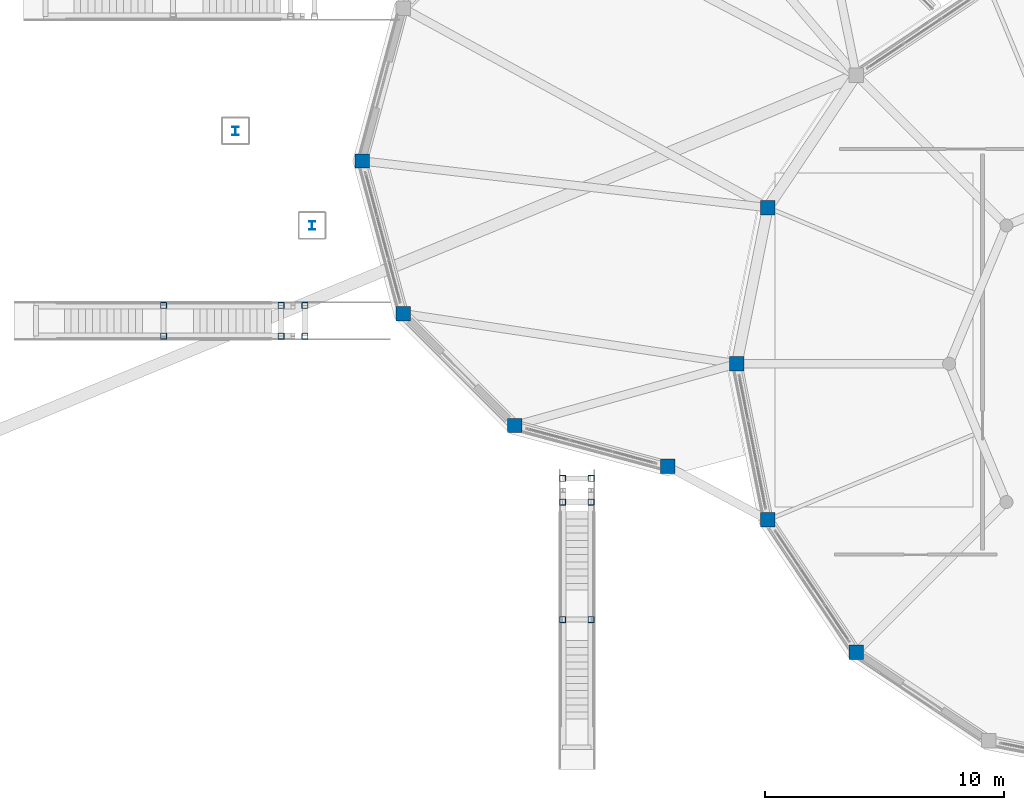
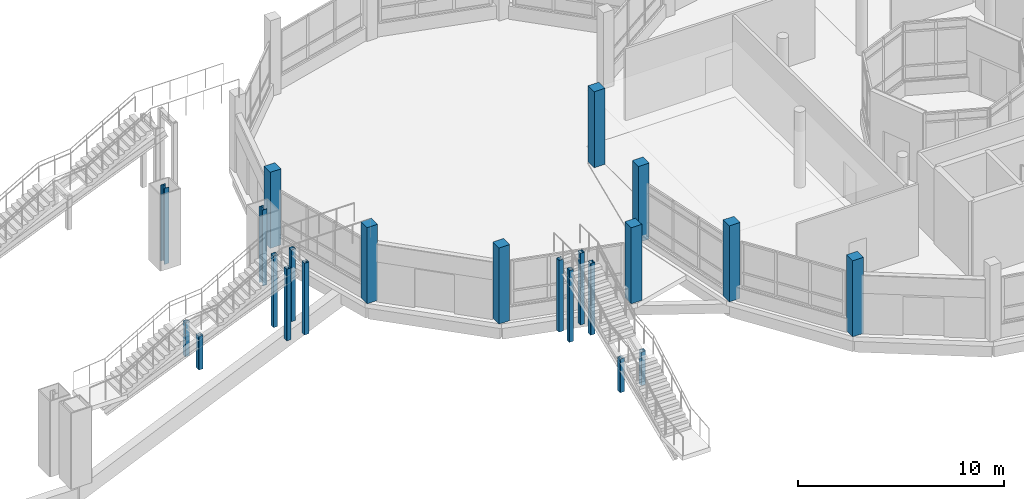
# One storey, part 6 of 129: 22 columns.
"""IFC4 building model written with IfcOpenShell, lengths in metres."""

from ifc_helpers import new_model, si_unit, direction, frame, origin, origin_2d, place, context, subcontext, project, spatial, rectangle, hollow_rectangle, i_section, extrude, material, material_profile, profile_set, type_object, element, save


model = new_model("IFC4")

# Units and contexts
model_context = context("Model", 3, precision=1e-05, world=origin(), true_north=direction((0.0, 1.0)))
body_context = subcontext(model_context, "Body", "Model", "MODEL_VIEW")
ifc_project = project(units=[si_unit("LENGTHUNIT", "METRE"), si_unit("AREAUNIT", "SQUARE_METRE"), si_unit("VOLUMEUNIT", "CUBIC_METRE"), si_unit("PLANEANGLEUNIT", "RADIAN"), si_unit("MASSUNIT", "GRAM", prefix="KILO")], contexts=[model_context])

# Site, building, storey
site_placement = place(None, origin())
site = spatial("IfcSite", under=ifc_project, at=site_placement, CompositionType="ELEMENT")
building_placement = place(site_placement, origin())
building = spatial("IfcBuilding", under=site, at=building_placement, Name="Vespera Passage Community Centre", CompositionType="ELEMENT")
storey_placement = place(building_placement, origin())
storey = spatial("IfcBuildingStorey", under=building, at=storey_placement, Name="L00", CompositionType="ELEMENT", Elevation=0.0)

# Columns
ifc_material_1 = material(Name="Steel ASTM A500 Grade C", Category="steel")
ifc_material_profile_1 = material_profile(ifc_material_1, hollow_rectangle(XDim=0.25390625, YDim=0.25390625, WallThickness=0.01171875, InnerFilletRadius=0.01171875, OuterFilletRadius=0.023681640625, at=origin_2d()), Name="HSS254X254X12.7")
ifc_profile_set_1 = profile_set([ifc_material_profile_1], Name="Steel ASTM A500 Grade C")
column_type_1 = type_object("IfcColumnType", Name="COL-HSS254E", PredefinedType="COLUMN", material=ifc_profile_set_1)
for number, where, z_axis, x_axis, name in (
    (1, (99.875, 26.155029296875, 0.0), (0.0, 0.0, 1.0), (1.0, 0.0, 0.0), "ST-CRT-01 Pier M1"),
    (2, (99.875, 27.445068359375, 0.0), (0.0, 0.0, 1.0), (1.0, 0.0, 0.0), "ST-CRT-01 Pier M2"),
):
    element("IfcColumn", number, at=place(storey_placement, frame(where, z_axis=z_axis, x_axis=x_axis)), inside=storey, type_object=column_type_1, Name=name, PredefinedType="COLUMN", context=body_context, shape_type="SweptSolid", body=[
        extrude(hollow_rectangle(XDim=0.25390625, YDim=0.25390625, WallThickness=0.01171875, InnerFilletRadius=0.01171875, OuterFilletRadius=0.023681640625, at=origin_2d()), origin(), (0.0, 0.0, 1.0), 1.989990234375),
    ])
for number, where, z_axis, x_axis, name in (
    (3, (104.800048828125, 26.155029296875, 0.0), (0.0, 0.0, 1.0), (1.0, 0.0, 0.0), "ST-CRT-01 Pier T1"),
    (4, (104.800048828125, 27.445068359375, 0.0), (0.0, 0.0, 1.0), (1.0, 0.0, 0.0), "ST-CRT-01 Pier T2"),
    (5, (105.800048828125, 26.155029296875, 0.0), (0.0, 0.0, 1.0), (1.0, 0.0, 0.0), "ST-CRT-01 Pier TF1"),
    (6, (105.800048828125, 27.445068359375, 0.0), (0.0, 0.0, 1.0), (1.0, 0.0, 0.0), "ST-CRT-01 Pier TF2"),
):
    element("IfcColumn", number, at=place(storey_placement, frame(where, z_axis=z_axis, x_axis=x_axis)), inside=storey, type_object=column_type_1, Name=name, PredefinedType="COLUMN", context=body_context, shape_type="SweptSolid", body=[
        extrude(hollow_rectangle(XDim=0.25390625, YDim=0.25390625, WallThickness=0.01171875, InnerFilletRadius=0.01171875, OuterFilletRadius=0.023681640625, at=origin_2d()), origin(), (0.0, 0.0, 1.0), 4.239990234375),
    ])
for number, where, z_axis, x_axis, name in (
    (7, (117.794921875, 14.27490234375, 0.0), (0.0, 0.0, 1.0), (1.0, 0.0, 0.0), "ST-CRT-05 Pier M1"),
    (8, (116.60498046875, 14.27490234375, 0.0), (0.0, 0.0, 1.0), (1.0, 0.0, 0.0), "ST-CRT-05 Pier M2"),
):
    element("IfcColumn", number, at=place(storey_placement, frame(where, z_axis=z_axis, x_axis=x_axis)), inside=storey, type_object=column_type_1, Name=name, PredefinedType="COLUMN", context=body_context, shape_type="SweptSolid", body=[
        extrude(hollow_rectangle(XDim=0.25390625, YDim=0.25390625, WallThickness=0.01171875, InnerFilletRadius=0.01171875, OuterFilletRadius=0.023681640625, at=origin_2d()), origin(), (0.0, 0.0, 1.0), 1.989990234375),
    ])
for number, where, z_axis, x_axis, name in (
    (9, (117.794921875, 19.199951171875, 0.0), (0.0, 0.0, 1.0), (1.0, 0.0, 0.0), "ST-CRT-05 Pier T1"),
    (10, (116.60498046875, 19.199951171875, 0.0), (0.0, 0.0, 1.0), (1.0, 0.0, 0.0), "ST-CRT-05 Pier T2"),
    (11, (117.794921875, 20.199951171875, 0.0), (0.0, 0.0, 1.0), (1.0, 0.0, 0.0), "ST-CRT-05 Pier TF1"),
    (12, (116.60498046875, 20.199951171875, 0.0), (0.0, 0.0, 1.0), (1.0, 0.0, 0.0), "ST-CRT-05 Pier TF2"),
):
    element("IfcColumn", number, at=place(storey_placement, frame(where, z_axis=z_axis, x_axis=x_axis)), inside=storey, type_object=column_type_1, Name=name, PredefinedType="COLUMN", context=body_context, shape_type="SweptSolid", body=[
        extrude(hollow_rectangle(XDim=0.25390625, YDim=0.25390625, WallThickness=0.01171875, InnerFilletRadius=0.01171875, OuterFilletRadius=0.023681640625, at=origin_2d()), origin(), (0.0, 0.0, 1.0), 4.239990234375),
    ])
ifc_material_2 = material(Name="Concrete f'c 45 MPa", Category="concrete")
ifc_material_profile_2 = material_profile(ifc_material_2, rectangle(XDim=0.60009765625, YDim=0.60009765625, at=origin_2d()), Name="RC600X600")
ifc_profile_set_2 = profile_set([ifc_material_profile_2], Name="Concrete f'c 45 MPa")
column_type_2 = type_object("IfcColumnType", Name="COL-RC600E", PredefinedType="COLUMN", material=ifc_profile_set_2)
for number, where, z_axis, x_axis, name in (
    (13, (125.20166015625, 31.5439453125, 0.0), (0.0, 0.0, 1.0), (1.0, 0.0, 0.0), "L00 Column V3-P08"),
    (14, (123.89990234375, 25.0, 0.0), (0.0, 0.0, 1.0), (1.0, 0.0, 0.0), "L00 Column V3-P09"),
    (15, (125.20166015625, 18.4560546875, 0.0), (0.0, 0.0, 1.0), (1.0, 0.0, 0.0), "L00 Column V3-P10"),
    (16, (128.908447265625, 12.908447265625, 0.0), (0.0, 0.0, 1.0), (1.0, 0.0, 0.0), "L00 Column V3-P11"),
    (17, (108.199951171875, 33.5, 0.0), (0.0, 0.0, 1.0), (1.0, 0.0, 0.0), "L00 Column V3A-P07"),
    (18, (109.914794921875, 27.10009765625, 0.0), (0.0, 0.0, 1.0), (1.0, 0.0, 0.0), "L00 Column V3A-P08"),
    (19, (114.60009765625, 22.414794921875, 0.0), (0.0, 0.0, 1.0), (1.0, 0.0, 0.0), "L00 Column V3A-P09"),
    (20, (121.0, 20.699951171875, 0.0), (0.0, 0.0, 1.0), (1.0, 0.0, 0.0), "L00 Column V3A-P10"),
):
    element("IfcColumn", number, at=place(storey_placement, frame(where, z_axis=z_axis, x_axis=x_axis)), inside=storey, type_object=column_type_2, Name=name, PredefinedType="COLUMN", context=body_context, shape_type="SweptSolid", body=[
        extrude(rectangle(XDim=0.60009765625, YDim=0.60009765625, at=origin_2d()), origin(), (0.0, 0.0, 1.0), 4.5),
    ])
ifc_material_3 = material(Name="Steel ASTM A992 Grade 50", Category="steel")
ifc_material_profile_3 = material_profile(ifc_material_3, i_section(OverallWidth=0.2548828125, OverallDepth=0.356689453125, WebThickness=0.010498046875, FlangeThickness=0.018310546875, FilletRadius=0.01513671875, at=origin_2d()), Name="W14X68")
ifc_profile_set_3 = profile_set([ifc_material_profile_3], Name="Steel ASTM A992 Grade 50")
column_type_3 = type_object("IfcColumnType", Name="COL-W14X68I", PredefinedType="COLUMN", material=ifc_profile_set_3)
for number, where, z_axis, x_axis, name in (
    (21, (102.8896484375, 34.763916015625, 0.0), (0.0, 0.0, 1.0), (1.0, 0.0, 0.0), "L00 Column TRANC-I206"),
    (22, (106.09912109375, 30.80029296875, 0.0), (0.0, 0.0, 1.0), (1.0, 0.0, 0.0), "L00 Column TRANC-O206"),
):
    element("IfcColumn", number, at=place(storey_placement, frame(where, z_axis=z_axis, x_axis=x_axis)), inside=storey, type_object=column_type_3, Name=name, PredefinedType="COLUMN", context=body_context, shape_type="SweptSolid", body=[
        extrude(i_section(OverallWidth=0.2548828125, OverallDepth=0.356689453125, WebThickness=0.010498046875, FlangeThickness=0.018310546875, FilletRadius=0.01513671875, at=origin_2d()), origin(), (0.0, 0.0, 1.0), 4.5),
    ])

save(model, "model.ifc")
